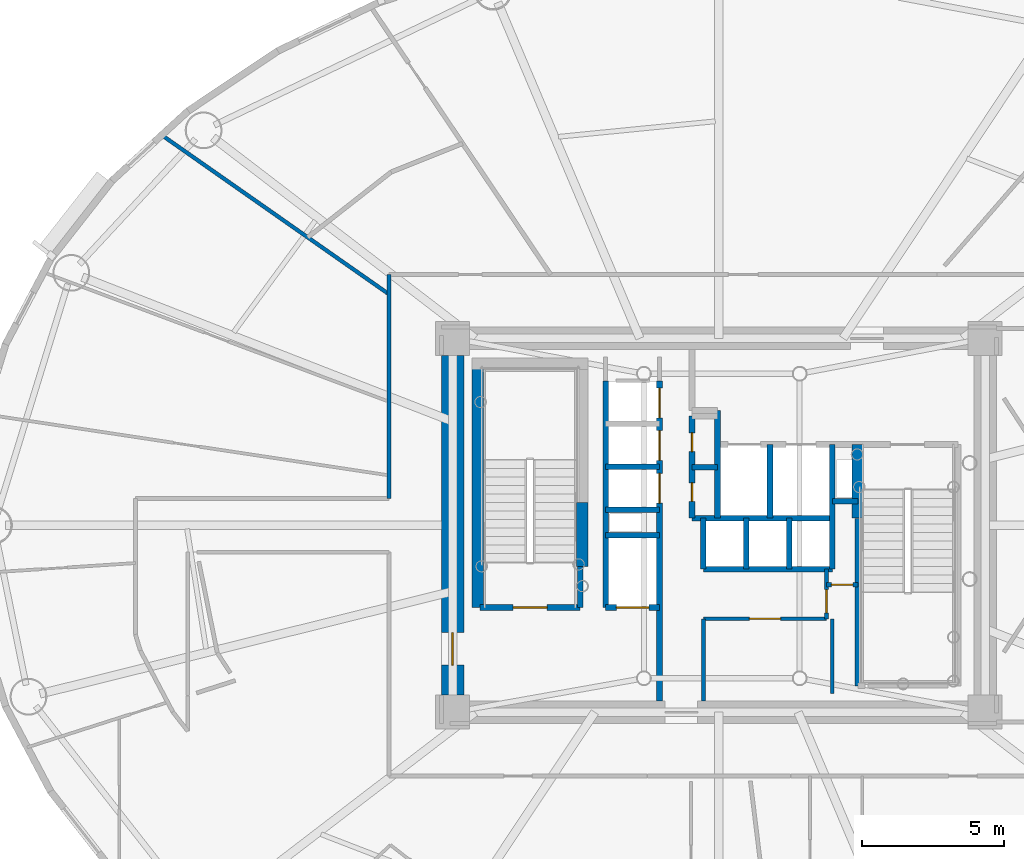
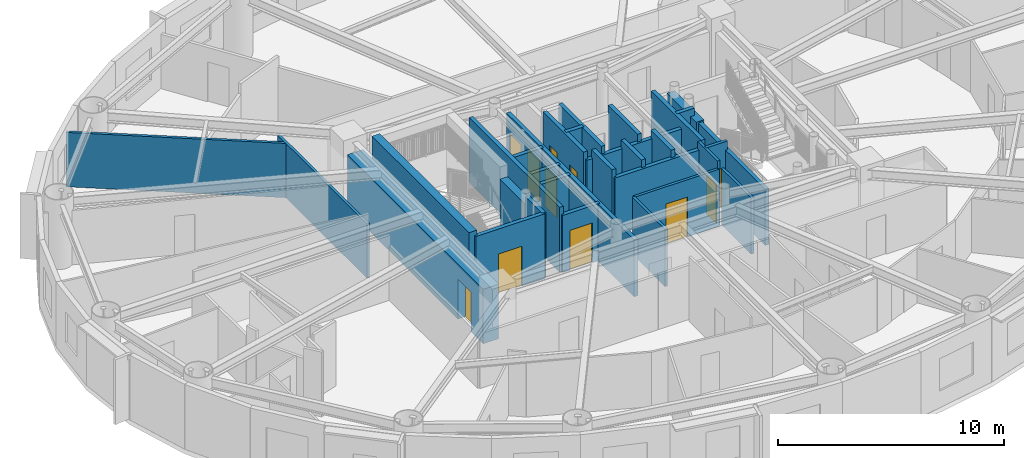
# One storey, part 9 of 18: 31 walls, 11 doors, 11 openings.
"""IFC4 building model written with IfcOpenShell, lengths in metres."""

from ifc_helpers import new_model, si_unit, direction, frame, frame_2d, origin, origin_2d, place, context, subcontext, project, spatial, rectangle, extrude, source, transform, mapped, material, layer, layer_set, type_object, element, fill, save


model = new_model("IFC4")

# Units and contexts
model_context = context("Model", 3, precision=1e-05, world=origin(), true_north=direction((0.0, 1.0)))
body_context = subcontext(model_context, "Body", "Model", "MODEL_VIEW")
ifc_project = project(units=[si_unit("LENGTHUNIT", "METRE"), si_unit("AREAUNIT", "SQUARE_METRE"), si_unit("VOLUMEUNIT", "CUBIC_METRE"), si_unit("PLANEANGLEUNIT", "RADIAN"), si_unit("MASSUNIT", "GRAM", prefix="KILO")], contexts=[model_context])

# Site, building, storey
site_placement = place(None, origin())
site = spatial("IfcSite", under=ifc_project, at=site_placement, CompositionType="ELEMENT")
building_placement = place(site_placement, origin())
building = spatial("IfcBuilding", under=site, at=building_placement, Name="Linh Dai School and Residence Tower", CompositionType="ELEMENT")
storey_placement = place(building_placement, frame((0.0, 0.0, 167.39990234375)))
storey = spatial("IfcBuildingStorey", under=building, at=storey_placement, Name="L40", CompositionType="ELEMENT", Elevation=167.39990234375)

# Walls
ifc_material_1 = material(Name="Autoclaved Aerated Concrete Blockwork", Category="masonry")
ifc_layer_1 = layer(ifc_material_1, 0.135009765625)
ifc_layer_set_1 = layer_set([ifc_layer_1], Name="Autoclaved Aerated Concrete Blockwork")
wall_type_1 = type_object("IfcWallType", Name="IW-CORR-135-EI90", PredefinedType="PARTITIONING", material=ifc_layer_set_1)
wall_1_placement = place(storey_placement, frame((16.327392578125, 40.77490234375, 0.0), z_axis=(0.0, 0.0, 1.0), x_axis=(0.819149932575, -0.573579452179, 0.0)))
element("IfcWall", 1, at=wall_1_placement, inside=storey, type_object=wall_type_1, Name="L40 Interior Partition Wall 010", PredefinedType="PARTITIONING", context=body_context, shape_type="SweptSolid", body=[
    extrude(rectangle(XDim=9.793701171875, YDim=0.135009765625, at=frame_2d((4.89697265625, 0.0))), origin(), (0.0, 0.0, 1.0), 2.93505859375),
])
wall_2_placement = place(storey_placement, frame((24.35009765625, 27.949951171875, 0.0), z_axis=(0.0, 0.0, 1.0), x_axis=(0.0, 1.0, 0.0)))
element("IfcWall", 2, at=wall_2_placement, inside=storey, type_object=wall_type_1, Name="L40 Interior Partition Wall 019", PredefinedType="PARTITIONING", context=body_context, shape_type="SweptSolid", body=[
    extrude(rectangle(XDim=7.900146484375, YDim=0.135009765625, at=frame_2d((3.9501953125, 0.0))), origin(), (0.0, 0.0, 1.0), 2.93505859375),
])
wall_3_placement = place(storey_placement, frame((35.449951171875, 20.800048828125, 0.0), z_axis=(0.0, 0.0, 1.0), x_axis=(0.0, 1.0, 0.0)))
element("IfcWall", 3, at=wall_3_placement, inside=storey, type_object=wall_type_1, Name="L40 Interior Partition Wall 042", PredefinedType="PARTITIONING", context=body_context, shape_type="SweptSolid", body=[
    extrude(rectangle(XDim=2.89990234375, YDim=0.135009765625, at=frame_2d((1.449951171875, 0.0))), origin(), (0.0, 0.0, 1.0), 3.085205078125),
])

# Wall, opening, door
wall_4_placement = place(storey_placement, frame((35.449951171875, 23.699951171875, 0.0), z_axis=(0.0, 0.0, 1.0), x_axis=(1.0, 0.0, 0.0)))
wall_4 = element("IfcWall", 4, at=wall_4_placement, inside=storey, type_object=wall_type_1, Name="L40 Interior Partition Wall 043", PredefinedType="PARTITIONING", context=body_context, shape_type="SweptSolid", body=[
    extrude(rectangle(XDim=4.35009765625, YDim=0.135009765625, at=frame_2d((2.175048828125, 0.0))), origin(), (0.0, 0.0, 1.0), 3.085205078125),
])
opening_1_placement = place(wall_4_placement, frame((1.625, 0.0, 0.0)))
opening_1 = element("IfcOpeningElement", 5, at=opening_1_placement, cuts=wall_4, Name="Opening D07", PredefinedType="OPENING", context=body_context, shape_type="SweptSolid", body=[
    extrude(rectangle(XDim=1.10009765625, YDim=2.14990234375, at=origin_2d()), frame((0.550048828125, 0.07763671875, 1.074951171875), z_axis=(0.0, -1.0, 0.0), x_axis=(1.0, 0.0, 0.0)), (0.0, 0.0, 1.0), 0.155029296875),
])
ifc_material_2 = material(Name="Fire-Rated Louvred Steel Plant Door", Category="steel")
door_type_1 = type_object("IfcDoorType", Name="DR-PLT-1100x2150-FD60S", OperationType="NOTDEFINED", PredefinedType="DOOR", material=ifc_material_2)
shared_shape_1 = source(origin(), body_context, "Body", "SweptSolid", [
    extrude(rectangle(XDim=1.10009765625, YDim=2.14990234375, at=origin_2d()), frame((0.550048828125, 0.02490234375, 1.074951171875), z_axis=(0.0, -1.0, 0.0), x_axis=(1.0, 0.0, 0.0)), (0.0, 0.0, 1.0), 0.050048828125),
])
door_1_placement = place(opening_1_placement, origin())
door_1 = element("IfcDoor", 6, at=door_1_placement, inside=storey, type_object=door_type_1, Name="L40 Tenant Metering and BMS Room Door", OperationType="SINGLE_SWING_LEFT", OverallHeight=2.14990234375, OverallWidth=1.10009765625, PredefinedType="DOOR", context=body_context, shape_type="MappedRepresentation", body=[
    mapped(shared_shape_1, transform((0.0, 0.0, 0.0), x_axis=(1.0, 0.0, 0.0), y_axis=(0.0, 1.0, 0.0), z_axis=(0.0, 0.0, 1.0), scale=1.0)),
])
fill(opening_1, door_1)

wall_5_placement = place(storey_placement, frame((39.800048828125, 23.699951171875, 0.0), z_axis=(0.0, 0.0, 1.0), x_axis=(0.0, 1.0, 0.0)))
wall_5 = element("IfcWall", 7, at=wall_5_placement, inside=storey, type_object=wall_type_1, Name="L40 Interior Partition Wall 055", PredefinedType="PARTITIONING", context=body_context, shape_type="SweptSolid", body=[
    extrude(rectangle(XDim=1.75, YDim=0.135009765625, at=frame_2d((0.875, 0.0))), origin(), (0.0, 0.0, 1.0), 3.5),
])
opening_2_placement = place(wall_5_placement, frame((0.2099609375, 0.0, 0.0)))
opening_2 = element("IfcOpeningElement", 8, at=opening_2_placement, cuts=wall_5, Name="Opening D06", PredefinedType="OPENING", context=body_context, shape_type="SweptSolid", body=[
    extrude(rectangle(XDim=0.820068359375, YDim=2.10009765625, at=origin_2d()), frame((0.41015625, 0.07763671875, 1.050048828125), z_axis=(0.0, -1.0, 0.0), x_axis=(1.0, 0.0, 0.0)), (0.0, 0.0, 1.0), 0.155029296875),
])
ifc_material_3 = material(Name="Moisture-Resistant Timber Bathroom Door", Category="wood")
door_type_2 = type_object("IfcDoorType", Name="DR-WET-820x2100", OperationType="NOTDEFINED", PredefinedType="DOOR", material=ifc_material_3)
shared_shape_2 = source(origin(), body_context, "Body", "SweptSolid", [
    extrude(rectangle(XDim=0.820068359375, YDim=2.10009765625, at=origin_2d()), frame((0.41015625, 0.02490234375, 1.050048828125), z_axis=(0.0, -1.0, 0.0), x_axis=(1.0, 0.0, 0.0)), (0.0, 0.0, 1.0), 0.050048828125),
])
door_2_placement = place(opening_2_placement, origin())
door_2 = element("IfcDoor", 9, at=door_2_placement, inside=storey, type_object=door_type_2, Name="L40 SE Metering Closet Door", OperationType="SINGLE_SWING_RIGHT", OverallHeight=2.10009765625, OverallWidth=0.820068359375, PredefinedType="DOOR", context=body_context, shape_type="MappedRepresentation", body=[
    mapped(shared_shape_2, transform((0.0, 0.0, 0.0), x_axis=(1.0, 0.0, 0.0), y_axis=(0.0, 1.0, 0.0), z_axis=(0.0, 0.0, 1.0), scale=1.0)),
])
fill(opening_2, door_2)

# Wall
wall_6_placement = place(storey_placement, frame((40.0, 23.699951171875, 0.0), z_axis=(0.0, 0.0, 1.0), x_axis=(0.0, -1.0, 0.0)))
element("IfcWall", 10, at=wall_6_placement, inside=storey, type_object=wall_type_1, Name="L40 Interior Partition Wall 082", PredefinedType="PARTITIONING", context=body_context, shape_type="SweptSolid", body=[
    extrude(rectangle(XDim=2.639892578125, YDim=0.135009765625, at=frame_2d((1.31982421875, 0.0))), origin(), (0.0, 0.0, 1.0), 3.03515625),
])

# Wall, opening, door
ifc_layer_2 = layer(ifc_material_1, 0.14990234375)
ifc_layer_set_2 = layer_set([ifc_layer_2], Name="Autoclaved Aerated Concrete Blockwork")
wall_type_2 = type_object("IfcWallType", Name="IW-SCH-150-EI60", PredefinedType="PARTITIONING", material=ifc_layer_set_2)
wall_7_placement = place(storey_placement, frame((39.800048828125, 24.89990234375, 0.0), z_axis=(0.0, 0.0, 1.0), x_axis=(1.0, 0.0, 0.0)))
wall_7 = element("IfcWall", 11, at=wall_7_placement, inside=storey, type_object=wall_type_2, Name="L40 Interior Partition Wall 056", PredefinedType="PARTITIONING", context=body_context, shape_type="SweptSolid", body=[
    extrude(rectangle(XDim=1.099853515625, YDim=0.14990234375, at=frame_2d((0.5498046875, 0.0))), origin(), (0.0, 0.0, 1.0), 3.5),
])
opening_3_placement = place(wall_7_placement, frame((0.169921875, 0.0, 0.0)))
opening_3 = element("IfcOpeningElement", 12, at=opening_3_placement, cuts=wall_7, Name="Opening D08", PredefinedType="OPENING", context=body_context, shape_type="SweptSolid", body=[
    extrude(rectangle(XDim=0.760009765625, YDim=2.10009765625, at=origin_2d()), frame((0.3798828125, 0.0849609375, 1.050048828125), z_axis=(0.0, -1.0, 0.0), x_axis=(1.0, 0.0, 0.0)), (0.0, 0.0, 1.0), 0.169921875),
])
ifc_material_4 = material(Name="Engineered Timber Closet and Study Door", Category="wood")
door_type_3 = type_object("IfcDoorType", Name="DR-CMP-760x2100", OperationType="NOTDEFINED", PredefinedType="DOOR", material=ifc_material_4)
shared_shape_3 = source(origin(), body_context, "Body", "SweptSolid", [
    extrude(rectangle(XDim=0.760009765625, YDim=2.10009765625, at=origin_2d()), frame((0.3798828125, 0.02490234375, 1.050048828125), z_axis=(0.0, -1.0, 0.0), x_axis=(1.0, 0.0, 0.0)), (0.0, 0.0, 1.0), 0.050048828125),
])
door_3_placement = place(opening_3_placement, origin())
door_3 = element("IfcDoor", 13, at=door_3_placement, inside=storey, type_object=door_type_3, Name="L40 NE Cleaners Store Door", OperationType="SINGLE_SWING_LEFT", OverallHeight=2.10009765625, OverallWidth=0.760009765625, PredefinedType="DOOR", context=body_context, shape_type="MappedRepresentation", body=[
    mapped(shared_shape_3, transform((0.0, 0.0, 0.0), x_axis=(1.0, 0.0, 0.0), y_axis=(0.0, 1.0, 0.0), z_axis=(0.0, 0.0, 1.0), scale=1.0)),
])
fill(opening_3, door_3)

ifc_material_5 = material(Name="Concrete B45 (C35/45)", Category="concrete")
ifc_layer_3 = layer(ifc_material_5, 0.199951171875)
ifc_layer_set_3 = layer_set([ifc_layer_3], Name="Concrete B45 (C35/45)")
wall_type_3 = type_object("IfcWallType", Name="IW-SHAFT-200-EI120", PredefinedType="PARTITIONING", material=ifc_layer_set_3)
wall_8_placement = place(storey_placement, frame((27.56005859375, 24.10009765625, 0.0), z_axis=(0.0, 0.0, 1.0), x_axis=(1.0, 0.0, 0.0)))
wall_8 = element("IfcWall", 14, at=wall_8_placement, inside=storey, type_object=wall_type_3, Name="L40 Interior Partition Wall 024", PredefinedType="PARTITIONING", context=body_context, shape_type="SweptSolid", body=[
    extrude(rectangle(XDim=3.5400390625, YDim=0.199951171875, at=frame_2d((1.77001953125, 0.0))), origin(), (0.0, 0.0, 1.0), 3.5),
])
opening_4_placement = place(wall_8_placement, frame((1.169921875, 0.0, 0.0)))
opening_4 = element("IfcOpeningElement", 15, at=opening_4_placement, cuts=wall_8, Name="Opening D01", PredefinedType="OPENING", context=body_context, shape_type="SweptSolid", body=[
    extrude(rectangle(XDim=1.199951171875, YDim=2.14990234375, at=origin_2d()), frame((0.60009765625, 0.10986328125, 1.074951171875), z_axis=(0.0, -1.0, 0.0), x_axis=(1.0, 0.0, 0.0)), (0.0, 0.0, 1.0), 0.219970703125),
])
ifc_material_6 = material(Name="Fire-Rated Steel Door Leaf", Category="steel")
door_type_4 = type_object("IfcDoorType", Name="DR-STAIR-1200x2150-FD90S", OperationType="NOTDEFINED", PredefinedType="DOOR", material=ifc_material_6)
shared_shape_4 = source(origin(), body_context, "Body", "SweptSolid", [
    extrude(rectangle(XDim=1.199951171875, YDim=2.14990234375, at=origin_2d()), frame((0.60009765625, 0.02490234375, 1.074951171875), z_axis=(0.0, -1.0, 0.0), x_axis=(1.0, 0.0, 0.0)), (0.0, 0.0, 1.0), 0.050048828125),
])
door_4_placement = place(opening_4_placement, origin())
door_4 = element("IfcDoor", 16, at=door_4_placement, inside=storey, type_object=door_type_4, Name="L40 Core Smokeproof Exit Stair ST1 Door", OperationType="SINGLE_SWING_RIGHT", OverallHeight=2.14990234375, OverallWidth=1.199951171875, PredefinedType="DOOR", context=body_context, shape_type="MappedRepresentation", body=[
    mapped(shared_shape_4, transform((0.0, 0.0, 0.0), x_axis=(1.0, 0.0, 0.0), y_axis=(0.0, 1.0, 0.0), z_axis=(0.0, 0.0, 1.0), scale=1.0)),
])
fill(opening_4, door_4)

# Walls
wall_9_placement = place(storey_placement, frame((31.10009765625, 24.10009765625, 0.0), z_axis=(0.0, 0.0, 1.0), x_axis=(0.0, 1.0, 0.0)))
element("IfcWall", 17, at=wall_9_placement, inside=storey, type_object=wall_type_3, Name="L40 Interior Partition Wall 027", PredefinedType="PARTITIONING", context=body_context, shape_type="SweptSolid", body=[
    extrude(rectangle(XDim=1.43994140625, YDim=0.199951171875, at=frame_2d((0.719970703125, 0.0))), origin(), (0.0, 0.0, 1.0), 3.5),
])
wall_10_placement = place(storey_placement, frame((32.0, 24.10009765625, 0.0), z_axis=(0.0, 0.0, 1.0), x_axis=(0.0, 1.0, 0.0)))
element("IfcWall", 18, at=wall_10_placement, inside=storey, type_object=wall_type_3, Name="L40 Interior Partition Wall 028", PredefinedType="PARTITIONING", context=body_context, shape_type="SweptSolid", body=[
    extrude(rectangle(XDim=8.0, YDim=0.199951171875, at=frame_2d((4.0, 0.0))), origin(), (0.0, 0.0, 1.0), 3.5),
])

# Wall, opening, door
wall_11_placement = place(storey_placement, frame((32.0, 24.10009765625, 0.0), z_axis=(0.0, 0.0, 1.0), x_axis=(1.0, 0.0, 0.0)))
wall_11 = element("IfcWall", 19, at=wall_11_placement, inside=storey, type_object=wall_type_3, Name="L40 Interior Partition Wall 029", PredefinedType="PARTITIONING", context=body_context, shape_type="SweptSolid", body=[
    extrude(rectangle(XDim=1.89990234375, YDim=0.199951171875, at=frame_2d((0.949951171875, 0.0))), origin(), (0.0, 0.0, 1.0), 3.085205078125),
])
opening_5_placement = place(wall_11_placement, frame((0.375, 0.0, 0.0)))
opening_5 = element("IfcOpeningElement", 20, at=opening_5_placement, cuts=wall_11, Name="Opening LD-FF2", PredefinedType="OPENING", context=body_context, shape_type="SweptSolid", body=[
    extrude(rectangle(XDim=1.14990234375, YDim=2.14990234375, at=origin_2d()), frame((0.574951171875, 0.10986328125, 1.074951171875), z_axis=(0.0, -1.0, 0.0), x_axis=(1.0, 0.0, 0.0)), (0.0, 0.0, 1.0), 0.219970703125),
])
ifc_material_7 = material(Name="Fire-Rated Stainless Steel Firefighting Lift Door", Category="steel")
door_type_5 = type_object("IfcDoorType", Name="DR-LD-FF-1150x2150-FD120", OperationType="DOUBLE_DOOR_SLIDING", PredefinedType="USERDEFINED", material=ifc_material_7)
shared_shape_5 = source(origin(), body_context, "Body", "SweptSolid", [
    extrude(rectangle(XDim=1.14990234375, YDim=2.14990234375, at=origin_2d()), frame((0.574951171875, 0.02490234375, 1.074951171875), z_axis=(0.0, -1.0, 0.0), x_axis=(1.0, 0.0, 0.0)), (0.0, 0.0, 1.0), 0.050048828125),
])
door_5_placement = place(opening_5_placement, origin())
door_5 = element("IfcDoor", 21, at=door_5_placement, inside=storey, type_object=door_type_5, Name="L40 Lift FF2 Sliding Landing Door", ObjectType="LANDING DOOR", OperationType="DOUBLE_DOOR_SLIDING", OverallHeight=2.14990234375, OverallWidth=1.14990234375, PredefinedType="USERDEFINED", context=body_context, shape_type="MappedRepresentation", body=[
    mapped(shared_shape_5, transform((0.0, 0.0, 0.0), x_axis=(1.0, 0.0, 0.0), y_axis=(0.0, 1.0, 0.0), z_axis=(0.0, 0.0, 1.0), scale=1.0)),
])
fill(opening_5, door_5)

# Walls
for number, where, z_axis, x_axis, name in (
    (22, (32.0, 26.64990234375, 0.0), (0.0, 0.0, 1.0), (1.0, 0.0, 0.0), "L40 Interior Partition Wall 030"),
    (23, (32.0, 27.550048828125, 0.0), (0.0, 0.0, 1.0), (1.0, 0.0, 0.0), "L40 Interior Partition Wall 031"),
    (24, (32.0, 29.06005859375, 0.0), (0.0, 0.0, 1.0), (1.0, 0.0, 0.0), "L40 Interior Partition Wall 032"),
):
    element("IfcWall", number, at=place(storey_placement, frame(where, z_axis=z_axis, x_axis=x_axis)), inside=storey, type_object=wall_type_3, Name=name, PredefinedType="PARTITIONING", context=body_context, shape_type="SweptSolid", body=[
        extrude(rectangle(XDim=1.89990234375, YDim=0.199951171875, at=frame_2d((0.949951171875, 0.0))), origin(), (0.0, 0.0, 1.0), 3.085205078125),
    ])

# Wall, openings, doors
wall_12_placement = place(storey_placement, frame((33.89990234375, 20.800048828125, 0.0), z_axis=(0.0, 0.0, 1.0), x_axis=(0.0, 1.0, 0.0)))
wall_12 = element("IfcWall", 25, at=wall_12_placement, inside=storey, type_object=wall_type_3, Name="L40 Interior Partition Wall 034", PredefinedType="PARTITIONING", context=body_context, shape_type="SweptSolid", body=[
    extrude(rectangle(XDim=11.300048828125, YDim=0.199951171875, at=frame_2d((5.64990234375, 0.0))), origin(), (0.0, 0.0, 1.0), 3.085205078125),
])
opening_6_placement = place(wall_12_placement, frame((6.97998046875, 0.0, 0.0)))
opening_6 = element("IfcOpeningElement", 26, at=opening_6_placement, cuts=wall_12, Name="Opening LD-PL4", PredefinedType="OPENING", context=body_context, shape_type="SweptSolid", body=[
    extrude(rectangle(XDim=1.050048828125, YDim=2.14990234375, at=origin_2d()), frame((0.52490234375, 0.10986328125, 1.074951171875), z_axis=(0.0, -1.0, 0.0), x_axis=(1.0, 0.0, 0.0)), (0.0, 0.0, 1.0), 0.219970703125),
])
opening_7_placement = place(wall_12_placement, frame((8.4951171875, 0.0, 0.0)))
opening_7 = element("IfcOpeningElement", 27, at=opening_7_placement, cuts=wall_12, Name="Opening LD-PL5", PredefinedType="OPENING", context=body_context, shape_type="SweptSolid", body=[
    extrude(rectangle(XDim=1.050048828125, YDim=2.14990234375, at=origin_2d()), frame((0.52490234375, 0.10986328125, 1.074951171875), z_axis=(0.0, -1.0, 0.0), x_axis=(1.0, 0.0, 0.0)), (0.0, 0.0, 1.0), 0.219970703125),
])
opening_8_placement = place(wall_12_placement, frame((9.9951171875, 0.0, 0.0)))
opening_8 = element("IfcOpeningElement", 28, at=opening_8_placement, cuts=wall_12, Name="Opening LD-PL6", PredefinedType="OPENING", context=body_context, shape_type="SweptSolid", body=[
    extrude(rectangle(XDim=1.050048828125, YDim=2.14990234375, at=origin_2d()), frame((0.52490234375, 0.10986328125, 1.074951171875), z_axis=(0.0, -1.0, 0.0), x_axis=(1.0, 0.0, 0.0)), (0.0, 0.0, 1.0), 0.219970703125),
])
ifc_material_8 = material(Name="Brushed Stainless Steel Lift Landing Door", Category="steel")
door_type_6 = type_object("IfcDoorType", Name="DR-LD-PASS-1050x2150", OperationType="DOUBLE_DOOR_SLIDING", PredefinedType="USERDEFINED", material=ifc_material_8)
shared_shape_6 = source(origin(), body_context, "Body", "SweptSolid", [
    extrude(rectangle(XDim=1.050048828125, YDim=2.14990234375, at=origin_2d()), frame((0.52490234375, 0.02490234375, 1.074951171875), z_axis=(0.0, -1.0, 0.0), x_axis=(1.0, 0.0, 0.0)), (0.0, 0.0, 1.0), 0.050048828125),
])
door_6_placement = place(opening_6_placement, origin())
door_6 = element("IfcDoor", 29, at=door_6_placement, inside=storey, type_object=door_type_6, Name="L40 Lift PL4 Sliding Landing Door", ObjectType="LANDING DOOR", OperationType="DOUBLE_DOOR_SLIDING", OverallHeight=2.14990234375, OverallWidth=1.050048828125, PredefinedType="USERDEFINED", context=body_context, shape_type="MappedRepresentation", body=[
    mapped(shared_shape_6, transform((0.0, 0.0, 0.0), x_axis=(1.0, 0.0, 0.0), y_axis=(0.0, 1.0, 0.0), z_axis=(0.0, 0.0, 1.0), scale=1.0)),
])
fill(opening_6, door_6)
door_7_placement = place(opening_7_placement, origin())
door_7 = element("IfcDoor", 30, at=door_7_placement, inside=storey, type_object=door_type_6, Name="L40 Lift PL5 Sliding Landing Door", ObjectType="LANDING DOOR", OperationType="DOUBLE_DOOR_SLIDING", OverallHeight=2.14990234375, OverallWidth=1.050048828125, PredefinedType="USERDEFINED", context=body_context, shape_type="MappedRepresentation", body=[
    mapped(shared_shape_6, transform((0.0, 0.0, 0.0), x_axis=(1.0, 0.0, 0.0), y_axis=(0.0, 1.0, 0.0), z_axis=(0.0, 0.0, 1.0), scale=1.0)),
])
fill(opening_7, door_7)
door_8_placement = place(opening_8_placement, origin())
door_8 = element("IfcDoor", 31, at=door_8_placement, inside=storey, type_object=door_type_6, Name="L40 Lift PL6 Sliding Landing Door", ObjectType="LANDING DOOR", OperationType="DOUBLE_DOOR_SLIDING", OverallHeight=2.14990234375, OverallWidth=1.050048828125, PredefinedType="USERDEFINED", context=body_context, shape_type="MappedRepresentation", body=[
    mapped(shared_shape_6, transform((0.0, 0.0, 0.0), x_axis=(1.0, 0.0, 0.0), y_axis=(0.0, 1.0, 0.0), z_axis=(0.0, 0.0, 1.0), scale=1.0)),
])
fill(opening_8, door_8)

wall_13_placement = place(storey_placement, frame((35.050048828125, 27.25, 0.0), z_axis=(0.0, 0.0, 1.0), x_axis=(0.0, 1.0, 0.0)))
wall_13 = element("IfcWall", 32, at=wall_13_placement, inside=storey, type_object=wall_type_3, Name="L40 Interior Partition Wall 036", PredefinedType="PARTITIONING", context=body_context, shape_type="SweptSolid", body=[
    extrude(rectangle(XDim=3.60009765625, YDim=0.199951171875, at=frame_2d((1.800048828125, 0.0))), origin(), (0.0, 0.0, 1.0), 3.5),
])
opening_9_placement = place(wall_13_placement, frame((0.590087890625, 0.0, 0.0)))
opening_9 = element("IfcOpeningElement", 33, at=opening_9_placement, cuts=wall_13, Name="Opening AD1", PredefinedType="OPENING", context=body_context, shape_type="SweptSolid", body=[
    extrude(rectangle(XDim=0.659912109375, YDim=2.050048828125, at=origin_2d()), frame((0.330078125, 0.10986328125, 1.02490234375), z_axis=(0.0, -1.0, 0.0), x_axis=(1.0, 0.0, 0.0)), (0.0, 0.0, 1.0), 0.219970703125),
])
opening_10_placement = place(wall_13_placement, frame((2.35009765625, 0.0, 0.0)))
opening_10 = element("IfcOpeningElement", 34, at=opening_10_placement, cuts=wall_13, Name="Opening AD1", PredefinedType="OPENING", context=body_context, shape_type="SweptSolid", body=[
    extrude(rectangle(XDim=0.659912109375, YDim=2.050048828125, at=origin_2d()), frame((0.330078125, 0.10986328125, 1.02490234375), z_axis=(0.0, -1.0, 0.0), x_axis=(1.0, 0.0, 0.0)), (0.0, 0.0, 1.0), 0.219970703125),
])
ifc_material_9 = material(Name="Fire-Rated Steel Riser Access Door", Category="steel")
door_type_7 = type_object("IfcDoorType", Name="DR-ACC-660x2050-FD90S", OperationType="NOTDEFINED", PredefinedType="USERDEFINED", material=ifc_material_9)
shared_shape_7 = source(origin(), body_context, "Body", "SweptSolid", [
    extrude(rectangle(XDim=0.659912109375, YDim=2.050048828125, at=origin_2d()), frame((0.330078125, 0.02490234375, 1.02490234375), z_axis=(0.0, -1.0, 0.0), x_axis=(1.0, 0.0, 0.0)), (0.0, 0.0, 1.0), 0.050048828125),
])
door_9_placement = place(opening_9_placement, origin())
door_9 = element("IfcDoor", 35, at=door_9_placement, inside=storey, type_object=door_type_7, Name="L40 Telecom and Data Riser Access Door", ObjectType="ACCESS DOOR", OperationType="SINGLE_SWING_LEFT", OverallHeight=2.050048828125, OverallWidth=0.659912109375, PredefinedType="USERDEFINED", context=body_context, shape_type="MappedRepresentation", body=[
    mapped(shared_shape_7, transform((0.0, 0.0, 0.0), x_axis=(1.0, 0.0, 0.0), y_axis=(0.0, 1.0, 0.0), z_axis=(0.0, 0.0, 1.0), scale=1.0)),
])
fill(opening_9, door_9)
door_10_placement = place(opening_10_placement, origin())
door_10 = element("IfcDoor", 36, at=door_10_placement, inside=storey, type_object=door_type_7, Name="L40 Mechanical and Plumbing Riser Access Door", ObjectType="ACCESS DOOR", OperationType="SINGLE_SWING_RIGHT", OverallHeight=2.050048828125, OverallWidth=0.659912109375, PredefinedType="USERDEFINED", context=body_context, shape_type="MappedRepresentation", body=[
    mapped(shared_shape_7, transform((0.0, 0.0, 0.0), x_axis=(1.0, 0.0, 0.0), y_axis=(0.0, 1.0, 0.0), z_axis=(0.0, 0.0, 1.0), scale=1.0)),
])
fill(opening_10, door_10)

# Walls
wall_14_placement = place(storey_placement, frame((35.050048828125, 27.25, 0.0), z_axis=(0.0, 0.0, 1.0), x_axis=(1.0, 0.0, 0.0)))
element("IfcWall", 37, at=wall_14_placement, inside=storey, type_object=wall_type_3, Name="L40 Interior Partition Wall 037", PredefinedType="PARTITIONING", context=body_context, shape_type="SweptSolid", body=[
    extrude(rectangle(XDim=4.949951171875, YDim=0.199951171875, at=frame_2d((2.47509765625, 0.0))), origin(), (0.0, 0.0, 1.0), 3.085205078125),
])
wall_15_placement = place(storey_placement, frame((35.050048828125, 29.050048828125, 0.0), z_axis=(0.0, 0.0, 1.0), x_axis=(1.0, 0.0, 0.0)))
element("IfcWall", 38, at=wall_15_placement, inside=storey, type_object=wall_type_3, Name="L40 Interior Partition Wall 038", PredefinedType="PARTITIONING", context=body_context, shape_type="SweptSolid", body=[
    extrude(rectangle(XDim=0.89990234375, YDim=0.199951171875, at=frame_2d((0.449951171875, 0.0))), origin(), (0.0, 0.0, 1.0), 3.5),
])
wall_16_placement = place(storey_placement, frame((35.449951171875, 25.449951171875, 0.0), z_axis=(0.0, 0.0, 1.0), x_axis=(0.0, 1.0, 0.0)))
element("IfcWall", 39, at=wall_16_placement, inside=storey, type_object=wall_type_3, Name="L40 Interior Partition Wall 044", PredefinedType="PARTITIONING", context=body_context, shape_type="SweptSolid", body=[
    extrude(rectangle(XDim=1.800048828125, YDim=0.199951171875, at=frame_2d((0.89990234375, 0.0))), origin(), (0.0, 0.0, 1.0), 3.5),
])
wall_17_placement = place(storey_placement, frame((35.449951171875, 25.449951171875, 0.0), z_axis=(0.0, 0.0, 1.0), x_axis=(1.0, 0.0, 0.0)))
element("IfcWall", 40, at=wall_17_placement, inside=storey, type_object=wall_type_3, Name="L40 Interior Partition Wall 045", PredefinedType="PARTITIONING", context=body_context, shape_type="SweptSolid", body=[
    extrude(rectangle(XDim=4.550048828125, YDim=0.199951171875, at=frame_2d((2.27490234375, 0.0))), origin(), (0.0, 0.0, 1.0), 3.085205078125),
])
wall_18_placement = place(storey_placement, frame((35.949951171875, 27.25, 0.0), z_axis=(0.0, 0.0, 1.0), x_axis=(0.0, 1.0, 0.0)))
element("IfcWall", 41, at=wall_18_placement, inside=storey, type_object=wall_type_3, Name="L40 Interior Partition Wall 046", PredefinedType="PARTITIONING", context=body_context, shape_type="SweptSolid", body=[
    extrude(rectangle(XDim=3.800048828125, YDim=0.199951171875, at=frame_2d((1.89990234375, 0.0))), origin(), (0.0, 0.0, 1.0), 3.5),
])
wall_19_placement = place(storey_placement, frame((36.9599609375, 25.449951171875, 0.0), z_axis=(0.0, 0.0, 1.0), x_axis=(0.0, 1.0, 0.0)))
element("IfcWall", 42, at=wall_19_placement, inside=storey, type_object=wall_type_3, Name="L40 Interior Partition Wall 049", PredefinedType="PARTITIONING", context=body_context, shape_type="SweptSolid", body=[
    extrude(rectangle(XDim=1.800048828125, YDim=0.199951171875, at=frame_2d((0.89990234375, 0.0))), origin(), (0.0, 0.0, 1.0), 3.5),
])
wall_20_placement = place(storey_placement, frame((37.800048828125, 27.25, 0.0), z_axis=(0.0, 0.0, 1.0), x_axis=(0.0, 1.0, 0.0)))
element("IfcWall", 43, at=wall_20_placement, inside=storey, type_object=wall_type_3, Name="L40 Interior Partition Wall 051", PredefinedType="PARTITIONING", context=body_context, shape_type="SweptSolid", body=[
    extrude(rectangle(XDim=2.60009765625, YDim=0.199951171875, at=frame_2d((1.300048828125, 0.0))), origin(), (0.0, 0.0, 1.0), 3.5),
])
wall_21_placement = place(storey_placement, frame((38.47998046875, 25.449951171875, 0.0), z_axis=(0.0, 0.0, 1.0), x_axis=(0.0, 1.0, 0.0)))
element("IfcWall", 44, at=wall_21_placement, inside=storey, type_object=wall_type_3, Name="L40 Interior Partition Wall 052", PredefinedType="PARTITIONING", context=body_context, shape_type="SweptSolid", body=[
    extrude(rectangle(XDim=1.800048828125, YDim=0.199951171875, at=frame_2d((0.89990234375, 0.0))), origin(), (0.0, 0.0, 1.0), 3.5),
])
wall_22_placement = place(storey_placement, frame((40.0, 25.449951171875, 0.0), z_axis=(0.0, 0.0, 1.0), x_axis=(0.0, 1.0, 0.0)))
element("IfcWall", 45, at=wall_22_placement, inside=storey, type_object=wall_type_3, Name="L40 Interior Partition Wall 057", PredefinedType="PARTITIONING", context=body_context, shape_type="SweptSolid", body=[
    extrude(rectangle(XDim=4.400146484375, YDim=0.199951171875, at=frame_2d((2.2001953125, 0.0))), origin(), (0.0, 0.0, 1.0), 3.5),
])
wall_23_placement = place(storey_placement, frame((40.0, 27.85009765625, 0.0), z_axis=(0.0, 0.0, 1.0), x_axis=(1.0, 0.0, 0.0)))
element("IfcWall", 46, at=wall_23_placement, inside=storey, type_object=wall_type_3, Name="L40 Interior Partition Wall 058", PredefinedType="PARTITIONING", context=body_context, shape_type="SweptSolid", body=[
    extrude(rectangle(XDim=0.89990234375, YDim=0.199951171875, at=frame_2d((0.449951171875, 0.0))), origin(), (0.0, 0.0, 1.0), 3.5),
])
wall_24_placement = place(storey_placement, frame((40.89990234375, 21.330078125, 0.0), z_axis=(0.0, 0.0, 1.0), x_axis=(0.0, 1.0, 0.0)))
element("IfcWall", 47, at=wall_24_placement, inside=storey, type_object=wall_type_3, Name="L40 Interior Partition Wall 059", PredefinedType="PARTITIONING", context=body_context, shape_type="SweptSolid", body=[
    extrude(rectangle(XDim=5.909912109375, YDim=0.199951171875, at=frame_2d((2.955078125, 0.0))), origin(), (0.0, 0.0, 1.0), 3.03515625),
])
ifc_layer_4 = layer(ifc_material_5, 0.39990234375)
ifc_layer_set_4 = layer_set([ifc_layer_4], Name="Concrete B45 (C35/45)")
wall_type_4 = type_object("IfcWallType", Name="WL-CORE400", PredefinedType="SHEAR", material=ifc_layer_set_4)
wall_25_placement = place(storey_placement, frame((27.47998046875, 24.10009765625, 0.0), z_axis=(0.0, 0.0, 1.0), x_axis=(0.0, 1.0, 0.0)))
element("IfcWall", 48, at=wall_25_placement, inside=storey, type_object=wall_type_4, Name="L40 Core Stair ST1 Bearing Wall W", PredefinedType="SHEAR", context=body_context, shape_type="SweptSolid", body=[
    extrude(rectangle(XDim=8.599853515625, YDim=0.39990234375, at=frame_2d((4.2998046875, 0.0))), origin(), (0.0, 0.0, 1.0), 3.75),
])
wall_26_placement = place(storey_placement, frame((31.179931640625, 25.550048828125, 0.0), z_axis=(0.0, 0.0, 1.0), x_axis=(0.0, 1.0, 0.0)))
element("IfcWall", 49, at=wall_26_placement, inside=storey, type_object=wall_type_4, Name="L40 Internal Core Shear Wall IW", PredefinedType="SHEAR", context=body_context, shape_type="SweptSolid", body=[
    extrude(rectangle(XDim=2.25, YDim=0.39990234375, at=frame_2d((1.125, 0.0))), origin(), (0.0, 0.0, 1.0), 3.10009765625),
])
wall_27_placement = place(storey_placement, frame((40.89990234375, 27.25, 0.0), z_axis=(0.0, 0.0, 1.0), x_axis=(0.0, 1.0, 0.0)))
element("IfcWall", 50, at=wall_27_placement, inside=storey, type_object=wall_type_4, Name="L40 Internal Core Shear Wall IE", PredefinedType="SHEAR", context=body_context, shape_type="SweptSolid", body=[
    extrude(rectangle(XDim=2.60009765625, YDim=0.39990234375, at=frame_2d((1.300048828125, 0.0))), origin(), (0.0, 0.0, 1.0), 3.10009765625),
])

# Wall, opening, door
ifc_material_10 = material(Name="Concrete B60 (C50/60)", Category="concrete")
ifc_layer_5 = layer(ifc_material_10, 0.800048828125)
ifc_layer_set_5 = layer_set([ifc_layer_5], Name="Concrete B60 (C50/60)")
wall_type_5 = type_object("IfcWallType", Name="WL-CORE800", PredefinedType="SHEAR", material=ifc_layer_set_5)
wall_28_placement = place(storey_placement, frame((26.60009765625, 21.0, 0.0), z_axis=(0.0, 0.0, 1.0), x_axis=(0.0, 1.0, 0.0)))
wall_28 = element("IfcWall", 51, at=wall_28_placement, inside=storey, type_object=wall_type_5, Name="L40 Central Core Shear Wall W", PredefinedType="SHEAR", context=body_context, shape_type="SweptSolid", body=[
    extrude(rectangle(XDim=12.0, YDim=0.800048828125, at=frame_2d((6.0, 0.0))), origin(), (0.0, 0.0, 1.0), 2.9501953125),
])
opening_11_placement = place(wall_28_placement, frame((1.061279296875, 0.0, 0.0)))
opening_11 = element("IfcOpeningElement", 52, at=opening_11_placement, cuts=wall_28, Name="Opening D02", PredefinedType="OPENING", context=body_context, shape_type="SweptSolid", body=[
    extrude(rectangle(XDim=1.14990234375, YDim=2.14990234375, at=origin_2d()), frame((0.574951171875, 0.41015625, 1.074951171875), z_axis=(0.0, -1.0, 0.0), x_axis=(1.0, 0.0, 0.0)), (0.0, 0.0, 1.0), 0.820068359375),
])
ifc_material_11 = material(Name="Fire-Rated Glazed Steel Lobby Door", Category="steel")
door_type_8 = type_object("IfcDoorType", Name="DR-LOBBY-1150x2150-FD90S", OperationType="NOTDEFINED", PredefinedType="DOOR", material=ifc_material_11)
shared_shape_8 = source(origin(), body_context, "Body", "SweptSolid", [
    extrude(rectangle(XDim=1.14990234375, YDim=2.14990234375, at=origin_2d()), frame((0.574951171875, 0.02490234375, 1.074951171875), z_axis=(0.0, -1.0, 0.0), x_axis=(1.0, 0.0, 0.0)), (0.0, 0.0, 1.0), 0.050048828125),
])
door_11_placement = place(opening_11_placement, origin())
door_11 = element("IfcDoor", 53, at=door_11_placement, inside=storey, type_object=door_type_8, Name="L40 Firefighting Lobby Door", OperationType="SINGLE_SWING_LEFT", OverallHeight=2.14990234375, OverallWidth=1.14990234375, PredefinedType="DOOR", context=body_context, shape_type="MappedRepresentation", body=[
    mapped(shared_shape_8, transform((0.0, 0.0, 0.0), x_axis=(1.0, 0.0, 0.0), y_axis=(0.0, 1.0, 0.0), z_axis=(0.0, 0.0, 1.0), scale=1.0)),
])
fill(opening_11, door_11)

save(model, "model.ifc")
